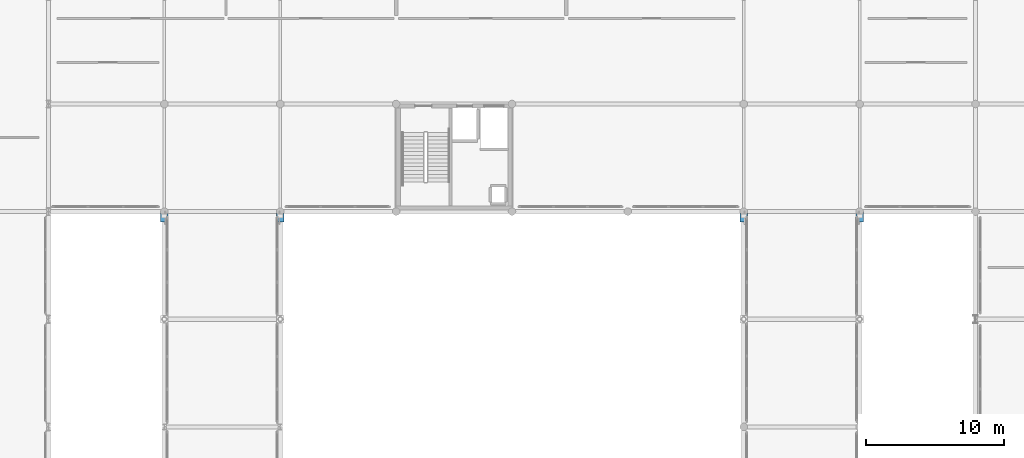
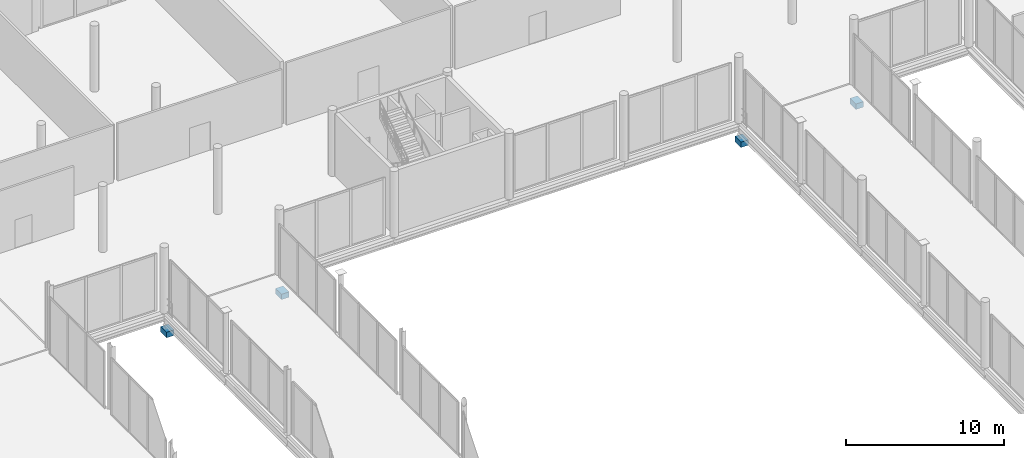
# One storey, part 87 of 105: 4 discrete accessories.
"""IFC4 building model written with IfcOpenShell, lengths in metres."""

from ifc_helpers import new_model, si_unit, direction, frame, origin, origin_2d, place, context, subcontext, project, spatial, rectangle, extrude, material, layer, layer_set, type_object, element, save


model = new_model("IFC4")

# Units and contexts
model_context = context("Model", 3, precision=1e-05, world=origin(), true_north=direction((0.0, 1.0)))
body_context = subcontext(model_context, "Body", "Model", "MODEL_VIEW")
ifc_project = project(units=[si_unit("LENGTHUNIT", "METRE"), si_unit("AREAUNIT", "SQUARE_METRE"), si_unit("VOLUMEUNIT", "CUBIC_METRE"), si_unit("PLANEANGLEUNIT", "RADIAN"), si_unit("MASSUNIT", "GRAM", prefix="KILO")], contexts=[model_context])

# Site, building, storey
site_placement = place(None, origin())
site = spatial("IfcSite", under=ifc_project, at=site_placement, CompositionType="ELEMENT")
building_placement = place(site_placement, origin())
building = spatial("IfcBuilding", under=site, at=building_placement, Name="Nabrawat Pavilion Hospital", CompositionType="ELEMENT")
storey_placement = place(building_placement, frame((0.0, 0.0, 5.10009765625)))
storey = spatial("IfcBuildingStorey", under=building, at=storey_placement, Name="L01", CompositionType="ELEMENT", Elevation=5.10009765625)

# Discrete accessories
ifc_material = material(Name="Concrete C40/50", Category="concrete")
ifc_layer = layer(ifc_material, 0.419921875, Name="Concrete C40/50")
ifc_layer_set = layer_set([ifc_layer], Name="Concrete C40/50")
discrete_accessory_type = type_object("IfcDiscreteAccessoryType", Name="Reinforced Concrete Bridge Bearing Corbel Seat 750", PredefinedType="BRACKET", material=ifc_layer_set)
for number, where, z_axis, x_axis, name in (
    (1, (67.199951171875, 85.425048828125, -1.5), (0.0, 0.0, 1.0), (1.0, 0.0, 0.0), "L01 Courtyard Bridge 750mm Bearing Seat Corbel N 02"),
    (2, (75.60009765625, 85.425048828125, -1.5), (0.0, 0.0, 1.0), (1.0, 0.0, 0.0), "L01 Courtyard Bridge 750mm Bearing Seat Corbel N 04"),
    (3, (109.199951171875, 85.425048828125, -1.5), (0.0, 0.0, 1.0), (1.0, 0.0, 0.0), "L01 Courtyard Bridge 750mm Bearing Seat Corbel N 06"),
    (4, (117.60009765625, 85.425048828125, -1.5), (0.0, 0.0, 1.0), (1.0, 0.0, 0.0), "L01 Courtyard Bridge 750mm Bearing Seat Corbel N 08"),
):
    element("IfcDiscreteAccessory", number, at=place(storey_placement, frame(where, z_axis=z_axis, x_axis=x_axis)), inside=storey, type_object=discrete_accessory_type, Name=name, PredefinedType="BRACKET", context=body_context, shape_type="SweptSolid", body=[
        extrude(rectangle(XDim=0.550048828125, YDim=0.75, at=origin_2d()), origin(), (0.0, 0.0, 1.0), 0.419921875),
    ])

save(model, "model.ifc")
